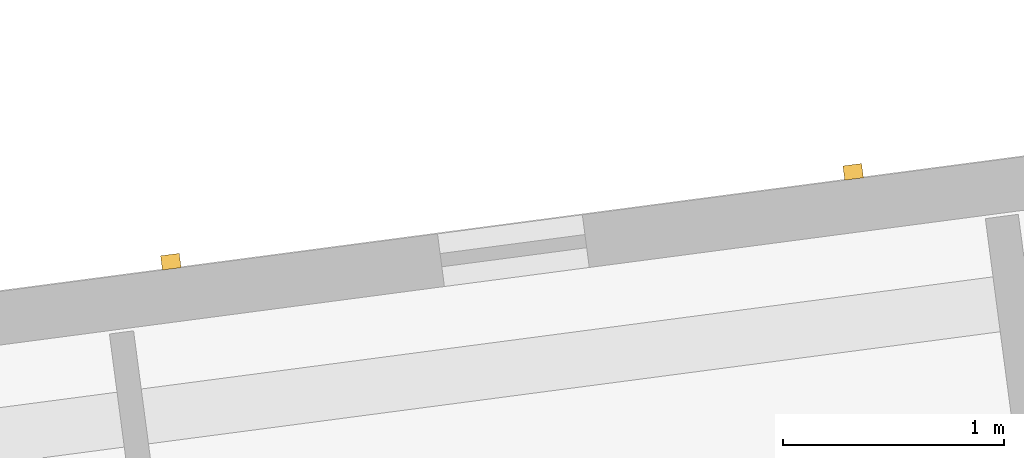
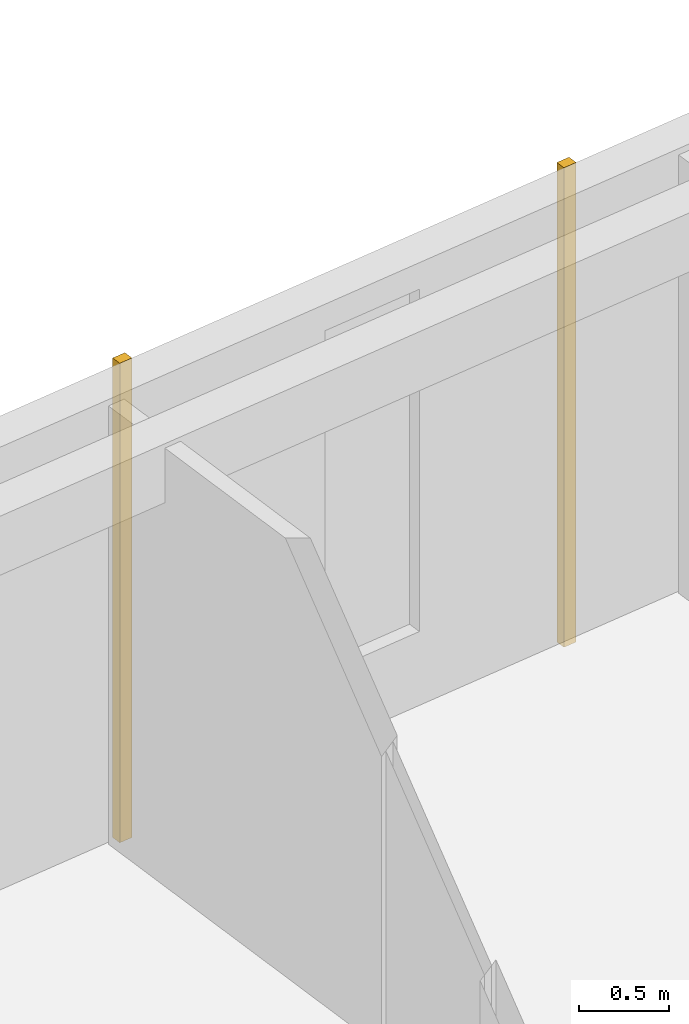
# One storey, part 55 of 64: 2 coverings.
"""IFC4 building model written with IfcOpenShell, lengths in metres."""

from ifc_helpers import new_model, si_unit, direction, frame, origin, origin_2d, place, context, subcontext, project, spatial, rectangle, extrude, material, layer, layer_set, type_object, element, save


model = new_model("IFC4")

# Units and contexts
model_context = context("Model", 3, precision=1e-05, world=origin(), true_north=direction((0.0, 1.0)))
body_context = subcontext(model_context, "Body", "Model", "MODEL_VIEW")
ifc_project = project(units=[si_unit("LENGTHUNIT", "METRE"), si_unit("AREAUNIT", "SQUARE_METRE"), si_unit("VOLUMEUNIT", "CUBIC_METRE"), si_unit("PLANEANGLEUNIT", "RADIAN"), si_unit("MASSUNIT", "GRAM", prefix="KILO")], contexts=[model_context])

# Site, building, storey
site_placement = place(None, origin())
site = spatial("IfcSite", under=ifc_project, at=site_placement, CompositionType="ELEMENT")
building_placement = place(site_placement, origin())
building = spatial("IfcBuilding", under=site, at=building_placement, Name="Kestramere Prow Commons", CompositionType="ELEMENT")
storey_placement = place(building_placement, frame((0.0, 0.0, 24.64990234375)))
storey = spatial("IfcBuildingStorey", under=building, at=storey_placement, Name="L07", CompositionType="ELEMENT", Elevation=24.64990234375)

# Coverings
ifc_material = material(Name="Weathered Zinc-Titanium Standing-Seam Cladding")
ifc_layer = layer(ifc_material, 0.074951171875)
ifc_layer_set = layer_set([ifc_layer], Name="Weathered Zinc-Titanium Standing-Seam Cladding")
covering_type = type_object("IfcCoveringType", Name="COV-CLAD-SEAM", PredefinedType="CLADDING", material=ifc_layer_set)
for number, where, z_axis, x_axis, name in (
    (1, (56.747314453125, 98.852294921875, -0.25), (0.0, 0.0, 1.0), (0.991444861374, 0.13052619222, 0.0), "EW-A-L07-N-5 Standing-Seam Rib 3"),
    (2, (59.828857421875, 99.258056640625, -0.25), (0.0, 0.0, 1.0), (0.991444861374, 0.13052619222, 0.0), "EW-A-L07-N-5 Standing-Seam Rib 5"),
):
    element("IfcCovering", number, at=place(storey_placement, frame(where, z_axis=z_axis, x_axis=x_axis)), inside=storey, type_object=covering_type, Name=name, PredefinedType="CLADDING", context=body_context, shape_type="SweptSolid", body=[
        extrude(rectangle(XDim=0.0849609375, YDim=0.06494140625, at=origin_2d()), origin(), (0.0, 0.0, 1.0), 3.25),
    ])

save(model, "model.ifc")
